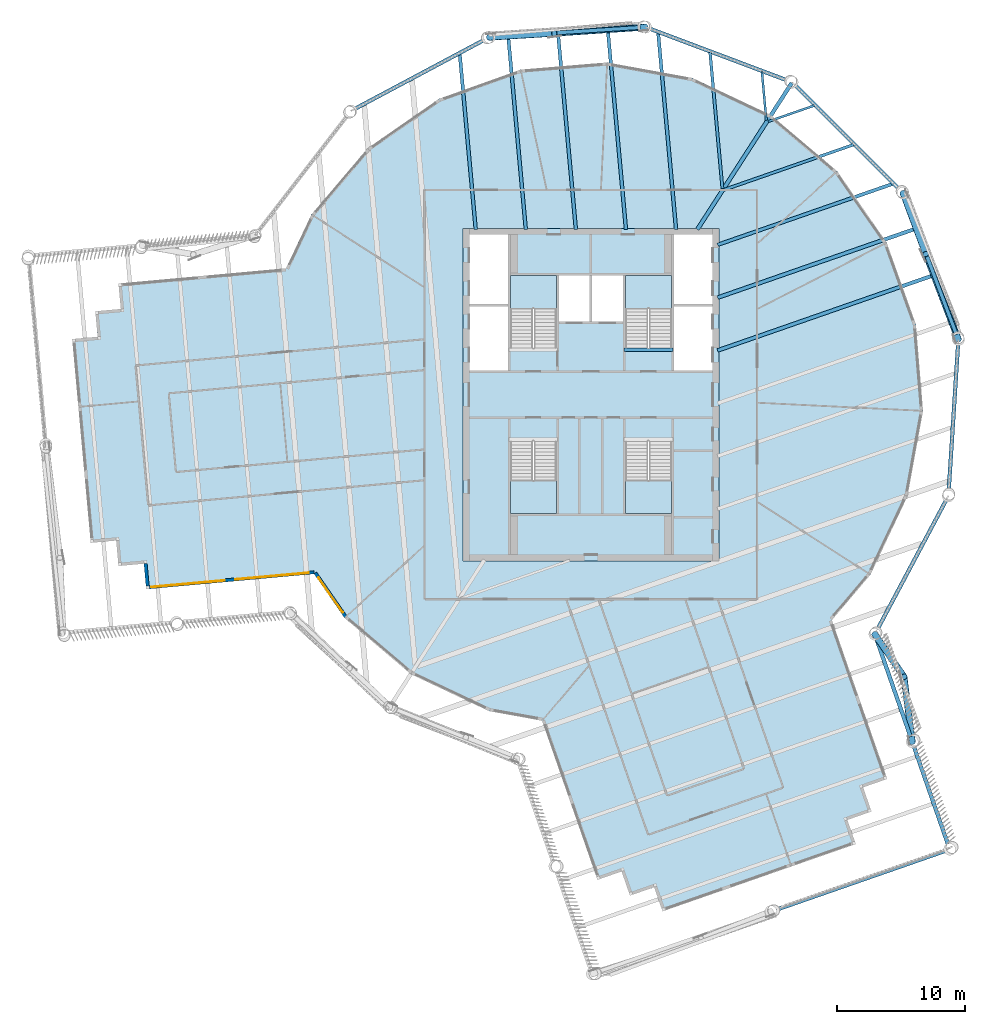
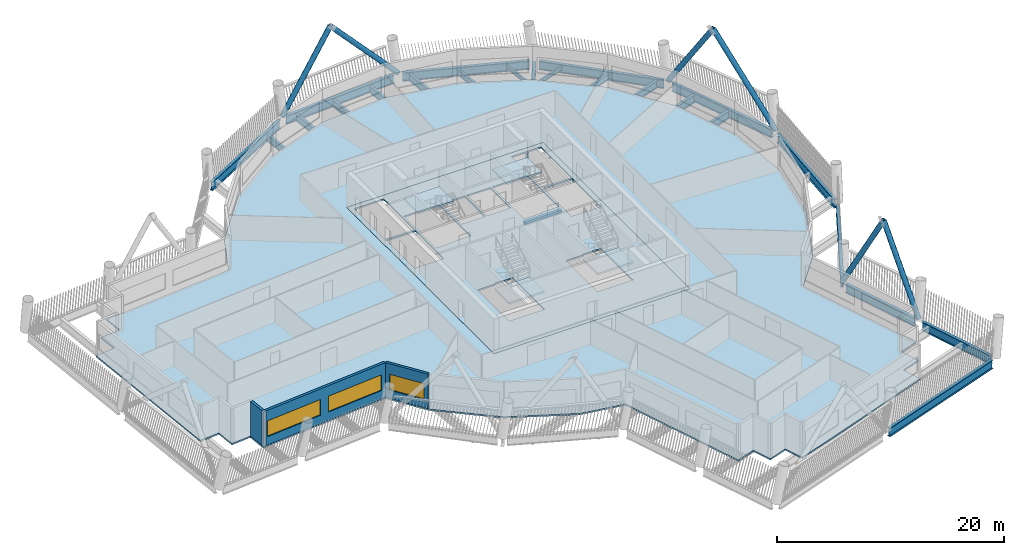
# One storey, part 2 of 23: 24 beams, 6 members, 6 slabs, 3 walls, 3 windows, 3 openings, 4 elements without a shape of their own.
"""IFC4 building model written with IfcOpenShell, lengths in metres."""

from ifc_helpers import new_model, si_unit, direction, frame, frame_2d, origin, origin_2d, place, context, subcontext, project, spatial, polyline, rectangle, hollow_circle, i_section, outline, extrude, material, layer, layer_set, material_profile, profile_set, type_object, element, fill, aggregate, save


model = new_model("IFC4")

# Units and contexts
model_context = context("Model", 3, precision=1e-05, world=origin(), true_north=direction((0.0, 1.0)))
body_context = subcontext(model_context, "Body", "Model", "MODEL_VIEW")
ifc_project = project(units=[si_unit("LENGTHUNIT", "METRE"), si_unit("AREAUNIT", "SQUARE_METRE"), si_unit("VOLUMEUNIT", "CUBIC_METRE"), si_unit("PLANEANGLEUNIT", "RADIAN"), si_unit("MASSUNIT", "GRAM", prefix="KILO")], contexts=[model_context])

# Site, building, storey
site_placement = place(None, origin())
site = spatial("IfcSite", under=ifc_project, at=site_placement, CompositionType="ELEMENT")
building_placement = place(site_placement, origin())
building = spatial("IfcBuilding", under=site, at=building_placement, Name="Tarsis Ring Headquarters", CompositionType="ELEMENT")
storey_placement = place(building_placement, frame((0.0, 0.0, 308.0)))
storey = spatial("IfcBuildingStorey", under=building, at=storey_placement, Name="L72", CompositionType="ELEMENT", Elevation=308.0)

# Beams
ifc_material_1 = material(Name="Structural steel S355", Category="steel")
ifc_material_profile_1 = material_profile(ifc_material_1, i_section(OverallWidth=0.177734375, OverallDepth=0.406494140625, WebThickness=0.0078125, FlangeThickness=0.0126953125, at=origin_2d()), Name="W16x40")
ifc_profile_set_1 = profile_set([ifc_material_profile_1], Name="Structural steel S355")
beam_type_1 = type_object("IfcBeamType", Name="FB Floor beam W16x40", PredefinedType="JOIST", material=ifc_profile_set_1)
beam_1_placement = place(storey_placement, frame((13.869384765625, 21.3486328125, -0.36328125), z_axis=(0.94437035444, 0.328883921249, 0.0), x_axis=(-0.328883921249, 0.94437035444, 0.0)))
element("IfcBeam", 1, at=beam_1_placement, inside=storey, type_object=beam_type_1, Name="Floor beam FB1", PredefinedType="JOIST", context=body_context, shape_type="SweptSolid", body=[
    extrude(i_section(OverallWidth=0.177734375, OverallDepth=0.406494140625, WebThickness=0.0078125, FlangeThickness=0.0126953125, at=origin_2d()), origin(), (0.0, 0.0, 1.0), 3.80517578125),
])
beam_2_placement = place(storey_placement, frame((13.367431640625, 25.2392578125, -0.36328125), z_axis=(0.090663020435, -0.995881627868, 0.0), x_axis=(0.995881627868, 0.090663020435, 0.0)))
element("IfcBeam", 2, at=beam_2_placement, inside=storey, type_object=beam_type_1, Name="Floor beam FB1", PredefinedType="JOIST", context=body_context, shape_type="SweptSolid", body=[
    extrude(i_section(OverallWidth=0.177734375, OverallDepth=0.406494140625, WebThickness=0.0078125, FlangeThickness=0.0126953125, at=origin_2d()), origin(), (0.0, 0.0, 1.0), 3.804931640625),
])
ifc_material_profile_2 = material_profile(ifc_material_1, i_section(OverallWidth=0.228271484375, OverallDepth=0.607177734375, WebThickness=0.01123046875, FlangeThickness=0.017333984375, at=origin_2d()), Name="W24x76")
ifc_profile_set_2 = profile_set([ifc_material_profile_2], Name="Structural steel S355")
beam_type_2 = type_object("IfcBeamType", Name="FB Floor beam W24x76", PredefinedType="JOIST", material=ifc_profile_set_2)
beam_3_placement = place(storey_placement, frame((10.437744140625, 16.02392578125, -0.463623046875), z_axis=(0.944376207023, 0.328867115426, 0.0), x_axis=(-0.328867115426, 0.944376207023, 0.0)))
element("IfcBeam", 3, at=beam_3_placement, inside=storey, type_object=beam_type_2, Name="Floor beam FB4", PredefinedType="JOIST", context=body_context, shape_type="SweptSolid", body=[
    extrude(i_section(OverallWidth=0.228271484375, OverallDepth=0.607177734375, WebThickness=0.01123046875, FlangeThickness=0.017333984375, at=origin_2d()), origin(), (0.0, 0.0, 1.0), 10.684814453125),
])
beam_4_placement = place(storey_placement, frame((9.3125, 26.765869140625, -0.463623046875), z_axis=(0.090622275241, -0.995885336387, 0.0), x_axis=(0.995885336387, 0.090622275241, 0.0)))
element("IfcBeam", 4, at=beam_4_placement, inside=storey, type_object=beam_type_2, Name="Floor beam FB4", PredefinedType="JOIST", context=body_context, shape_type="SweptSolid", body=[
    extrude(i_section(OverallWidth=0.228271484375, OverallDepth=0.607177734375, WebThickness=0.01123046875, FlangeThickness=0.017333984375, at=origin_2d()), origin(), (0.0, 0.0, 1.0), 10.6845703125),
])
ifc_material_profile_3 = material_profile(ifc_material_1, i_section(OverallWidth=0.2666015625, OverallDepth=0.7568359375, WebThickness=0.013916015625, FlangeThickness=0.019287109375, at=origin_2d()), Name="W30x108")
ifc_profile_set_3 = profile_set([ifc_material_profile_3], Name="Structural steel S355")
beam_type_3 = type_object("IfcBeamType", Name="FB Floor beam W30x108", PredefinedType="JOIST", material=ifc_profile_set_3)
beam_5_placement = place(storey_placement, frame((9.905517578125, 11.708984375, -0.538330078125), z_axis=(0.944377661826, 0.328862937778, 0.0), x_axis=(-0.328862937778, 0.944377661826, 0.0)))
element("IfcBeam", 5, at=beam_5_placement, inside=storey, type_object=beam_type_3, Name="Floor beam FB6", PredefinedType="JOIST", context=body_context, shape_type="SweptSolid", body=[
    extrude(i_section(OverallWidth=0.2666015625, OverallDepth=0.7568359375, WebThickness=0.013916015625, FlangeThickness=0.019287109375, at=origin_2d()), origin(), (0.0, 0.0, 1.0), 14.494140625),
])
beam_6_placement = place(storey_placement, frame((5.25732421875, 28.29248046875, -0.538330078125), z_axis=(0.090638291041, -0.995883878872, 0.0), x_axis=(0.995883878872, 0.090638291041, 0.0)))
element("IfcBeam", 6, at=beam_6_placement, inside=storey, type_object=beam_type_3, Name="Floor beam FB6", PredefinedType="JOIST", context=body_context, shape_type="SweptSolid", body=[
    extrude(i_section(OverallWidth=0.2666015625, OverallDepth=0.7568359375, WebThickness=0.013916015625, FlangeThickness=0.019287109375, at=origin_2d()), origin(), (0.0, 0.0, 1.0), 15.455810546875),
])
beam_7_placement = place(storey_placement, frame((1.32373046875, 28.486083984375, -0.538330078125), z_axis=(0.090635610732, -0.995884122811, 0.0), x_axis=(0.995884122811, 0.090635610732, 0.0)))
element("IfcBeam", 7, at=beam_7_placement, inside=storey, type_object=beam_type_3, Name="Floor beam FB6", PredefinedType="JOIST", context=body_context, shape_type="SweptSolid", body=[
    extrude(i_section(OverallWidth=0.2666015625, OverallDepth=0.7568359375, WebThickness=0.013916015625, FlangeThickness=0.019287109375, at=origin_2d()), origin(), (0.0, 0.0, 1.0), 15.650146484375),
])
beam_8_placement = place(storey_placement, frame((-2.5693359375, 28.2333984375, -0.538330078125), z_axis=(0.090622959392, -0.995885274131, 0.0), x_axis=(0.995885274131, 0.090622959392, 0.0)))
element("IfcBeam", 8, at=beam_8_placement, inside=storey, type_object=beam_type_3, Name="Floor beam FB6", PredefinedType="JOIST", context=body_context, shape_type="SweptSolid", body=[
    extrude(i_section(OverallWidth=0.2666015625, OverallDepth=0.7568359375, WebThickness=0.013916015625, FlangeThickness=0.019287109375, at=origin_2d()), origin(), (0.0, 0.0, 1.0), 15.396240234375),
])
beam_9_placement = place(storey_placement, frame((-6.462646484375, 27.980712890625, -0.538330078125), z_axis=(0.090641864664, -0.99588355362, 0.0), x_axis=(0.99588355362, 0.090641864664, 0.0)))
element("IfcBeam", 9, at=beam_9_placement, inside=storey, type_object=beam_type_3, Name="Floor beam FB6", PredefinedType="JOIST", context=body_context, shape_type="SweptSolid", body=[
    extrude(i_section(OverallWidth=0.2666015625, OverallDepth=0.7568359375, WebThickness=0.013916015625, FlangeThickness=0.019287109375, at=origin_2d()), origin(), (0.0, 0.0, 1.0), 15.142578125),
])
beam_10_placement = place(storey_placement, frame((-10.256591796875, 26.63916015625, -0.538330078125), z_axis=(0.090626697002, -0.995884934011, 0.0), x_axis=(0.995884934011, 0.090626697002, 0.0)))
element("IfcBeam", 10, at=beam_10_placement, inside=storey, type_object=beam_type_3, Name="Floor beam FB6", PredefinedType="JOIST", context=body_context, shape_type="SweptSolid", body=[
    extrude(i_section(OverallWidth=0.2666015625, OverallDepth=0.7568359375, WebThickness=0.013916015625, FlangeThickness=0.019287109375, at=origin_2d()), origin(), (0.0, 0.0, 1.0), 13.795654296875),
])
ifc_material_profile_4 = material_profile(ifc_material_1, i_section(OverallWidth=0.2919921875, OverallDepth=0.835693359375, WebThickness=0.013916015625, FlangeThickness=0.018798828125, at=origin_2d()), Name="W33x118")
ifc_profile_set_4 = profile_set([ifc_material_profile_4], Name="Structural steel S355")
beam_type_4 = type_object("IfcBeamType", Name="FB Floor beam W33x118", PredefinedType="JOIST", material=ifc_profile_set_4)
beam_11_placement = place(storey_placement, frame((9.905517578125, 7.5791015625, -0.577880859375), z_axis=(0.944375845858, 0.328868152548, 0.0), x_axis=(-0.328868152548, 0.944375845858, 0.0)))
element("IfcBeam", 11, at=beam_11_placement, inside=storey, type_object=beam_type_4, Name="Floor beam FB7", PredefinedType="JOIST", context=body_context, shape_type="SweptSolid", body=[
    extrude(i_section(OverallWidth=0.2919921875, OverallDepth=0.835693359375, WebThickness=0.013916015625, FlangeThickness=0.018798828125, at=origin_2d()), origin(), (0.0, 0.0, 1.0), 16.40185546875),
])
beam_12_placement = place(storey_placement, frame((9.905517578125, 3.449462890625, -0.577880859375), z_axis=(0.944375026862, 0.328870504361, 0.0), x_axis=(-0.328870504361, 0.944375026862, 0.0)))
element("IfcBeam", 12, at=beam_12_placement, inside=storey, type_object=beam_type_4, Name="Floor beam FB7", PredefinedType="JOIST", context=body_context, shape_type="SweptSolid", body=[
    extrude(i_section(OverallWidth=0.2919921875, OverallDepth=0.835693359375, WebThickness=0.013916015625, FlangeThickness=0.018798828125, at=origin_2d()), origin(), (0.0, 0.0, 1.0), 17.861083984375),
])
ifc_material_profile_5 = material_profile(ifc_material_1, i_section(OverallWidth=0.309814453125, OverallDepth=0.949951171875, WebThickness=0.0244140625, FlangeThickness=0.0439453125, at=origin_2d()), Name="W36x256")
ifc_profile_set_5 = profile_set([ifc_material_profile_5], Name="Structural steel S355")
beam_type_5 = type_object("IfcBeamType", Name="FB Floor beam W36x256 spine", PredefinedType="BEAM", material=ifc_profile_set_5)
beam_13_placement = place(storey_placement, frame((15.7041015625, 24.367919921875, -0.635009765625), z_axis=(-0.541714557773, -0.840562512784, 0.0), x_axis=(0.840562512784, -0.541714557773, 0.0)))
element("IfcBeam", 13, at=beam_13_placement, inside=storey, type_object=beam_type_5, Name="Floor beam SB11", PredefinedType="BEAM", context=body_context, shape_type="SweptSolid", body=[
    extrude(i_section(OverallWidth=0.309814453125, OverallDepth=0.949951171875, WebThickness=0.0244140625, FlangeThickness=0.0439453125, at=origin_2d()), origin(), (0.0, 0.0, 1.0), 13.6240234375),
])
ifc_material_2 = material(Name="Concrete C40/50", Category="concrete")
ifc_material_profile_6 = material_profile(ifc_material_2, rectangle(XDim=0.300048828125, YDim=0.300048828125, at=origin_2d()), Name="Stair head beam 300x300 C40/50")
ifc_profile_set_6 = profile_set([ifc_material_profile_6], Name="Concrete C40/50")
beam_type_6 = type_object("IfcBeamType", Name="Stair head beam 300x300 C40/50", PredefinedType="BEAM", material=ifc_profile_set_6)
beam_14_placement = place(storey_placement, frame((2.60009765625, 3.510009765625, -0.31005859375), z_axis=(1.0, 0.0, 0.0), x_axis=(0.0, 1.0, 0.0)))
element("IfcBeam", 14, at=beam_14_placement, inside=storey, type_object=beam_type_6, Name="Stair head beam L72 Exit stair B", PredefinedType="BEAM", context=body_context, shape_type="SweptSolid", body=[
    extrude(rectangle(XDim=0.300048828125, YDim=0.300048828125, at=origin_2d()), origin(), (0.0, 0.0, 1.0), 3.7998046875),
])

# Members
ifc_material_profile_7 = material_profile(ifc_material_1, hollow_circle(Radius=0.25390625, WallThickness=0.02001953125, at=origin_2d()), Name="CHS 508x20")
ifc_profile_set_7 = profile_set([ifc_material_profile_7], Name="Structural steel S355")
member_type = type_object("IfcMemberType", Name="XD X brace CHS 508x20", PredefinedType="BRACE", material=ifc_profile_set_7)
member_1_placement = place(storey_placement, frame((25.12451171875, -27.14501953125, 0.0), z_axis=(-0.06932106502, 0.54423185701, 0.836065951801), x_axis=(-0.991985307185, -0.126353275892, 0.0)))
element("IfcMember", 15, at=member_1_placement, inside=storey, type_object=member_type, Name="X brace XD2", PredefinedType="BRACE", context=body_context, shape_type="SweptSolid", body=[
    extrude(hollow_circle(Radius=0.25390625, WallThickness=0.02001953125, at=origin_2d()), origin(), (0.0, 0.0, 1.0), 9.329345703125),
])
member_2_placement = place(storey_placement, frame((22.197021484375, -18.738037109375, 0.0), z_axis=(0.259699800332, -0.379125013587, 0.888155525671), x_axis=(0.825004449067, 0.565126232819, 0.0)))
element("IfcMember", 16, at=member_2_placement, inside=storey, type_object=member_type, Name="X brace XD2", PredefinedType="BRACE", context=body_context, shape_type="SweptSolid", body=[
    extrude(hollow_circle(Radius=0.25390625, WallThickness=0.02001953125, at=origin_2d()), origin(), (0.0, 0.0, 1.0), 8.7822265625),
])
member_3_placement = place(storey_placement, frame((28.728271484375, 4.30126953125, 0.0), z_axis=(-0.240436542497, 0.631768697141, 0.736925085979), x_axis=(-0.934604443077, -0.355688817621, 0.0)))
element("IfcMember", 17, at=member_3_placement, inside=storey, type_object=member_type, Name="X brace XD2", PredefinedType="BRACE", context=body_context, shape_type="SweptSolid", body=[
    extrude(hollow_circle(Radius=0.25390625, WallThickness=0.02001953125, at=origin_2d()), origin(), (0.0, 0.0, 1.0), 10.58447265625),
])
member_4_placement = place(storey_placement, frame((24.4013671875, 15.76025390625, 0.0), z_axis=(0.191281826624, -0.512233810549, 0.837274020936), x_axis=(0.9368128247, 0.349831004169, 0.0)))
element("IfcMember", 18, at=member_4_placement, inside=storey, type_object=member_type, Name="X brace XD2", PredefinedType="BRACE", context=body_context, shape_type="SweptSolid", body=[
    extrude(hollow_circle(Radius=0.25390625, WallThickness=0.02001953125, at=origin_2d()), origin(), (0.0, 0.0, 1.0), 9.31591796875),
])
member_5_placement = place(storey_placement, frame((4.272216796875, 28.732666015625, 0.0), z_axis=(-0.674439047292, -0.045554621012, 0.736923841379), x_axis=(0.067390907362, -0.997726648739, 0.0)))
element("IfcMember", 19, at=member_5_placement, inside=storey, type_object=member_type, Name="X brace XD2", PredefinedType="BRACE", context=body_context, shape_type="SweptSolid", body=[
    extrude(hollow_circle(Radius=0.25390625, WallThickness=0.02001953125, at=origin_2d()), origin(), (0.0, 0.0, 1.0), 10.584716796875),
])
member_6_placement = place(storey_placement, frame((-7.95068359375, 27.939208984375, 0.0), z_axis=(0.545754887396, 0.033413564534, 0.83727841044), x_axis=(-0.06111006328, 0.998131033565, 0.0)))
element("IfcMember", 20, at=member_6_placement, inside=storey, type_object=member_type, Name="X brace XD2", PredefinedType="BRACE", context=body_context, shape_type="SweptSolid", body=[
    extrude(hollow_circle(Radius=0.25390625, WallThickness=0.02001953125, at=origin_2d()), origin(), (0.0, 0.0, 1.0), 9.31591796875),
])

# Beams
ifc_material_profile_8 = material_profile(ifc_material_1, i_section(OverallWidth=0.309814453125, OverallDepth=0.93212890625, WebThickness=0.02099609375, FlangeThickness=0.034423828125, at=origin_2d()), Name="W36x210")
ifc_profile_set_8 = profile_set([ifc_material_profile_8], Name="Structural steel S355")
beam_type_7 = type_object("IfcBeamType", Name="XG Ring girder W36x210", PredefinedType="BEAM", material=ifc_profile_set_8)
beam_15_placement = place(storey_placement, frame((14.485595703125, -40.2763671875, -0.466064453125), z_axis=(0.944377106557, 0.32886453231, 0.0), x_axis=(-0.32886453231, 0.944377106557, 0.0)))
element("IfcBeam", 21, at=beam_15_placement, inside=storey, type_object=beam_type_7, Name="Ring girder XG3", PredefinedType="BEAM", context=body_context, shape_type="SweptSolid", body=[
    extrude(i_section(OverallWidth=0.309814453125, OverallDepth=0.93212890625, WebThickness=0.02099609375, FlangeThickness=0.034423828125, at=origin_2d()), origin(), (0.0, 0.0, 1.0), 13.931396484375),
])
for number, where, z_axis, x_axis, name in (
    (22, (27.909423828125, -35.141845703125, -0.466064453125), (-0.328881284424, 0.944371272729, 0.0), (-0.944371272729, -0.328881284424, 0.0), "Ring girder XG3"),
    (23, (24.981689453125, -26.73486328125, -0.466064453125), (-0.32885418103, 0.944380711164, 0.0), (-0.944380711164, -0.32885418103, 0.0), "Ring girder XG3"),
):
    element("IfcBeam", number, at=place(storey_placement, frame(where, z_axis=z_axis, x_axis=x_axis)), inside=storey, type_object=beam_type_7, Name=name, PredefinedType="BEAM", context=body_context, shape_type="SweptSolid", body=[
        extrude(i_section(OverallWidth=0.309814453125, OverallDepth=0.93212890625, WebThickness=0.02099609375, FlangeThickness=0.034423828125, at=origin_2d()), origin(), (0.0, 0.0, 1.0), 8.033447265625),
    ])
beam_16_placement = place(storey_placement, frame((22.40087890625, -18.3544921875, -0.466064453125), z_axis=(0.469453219357, 0.882957345989, 0.0), x_axis=(-0.882957345989, 0.469453219357, 0.0)))
element("IfcBeam", 24, at=beam_16_placement, inside=storey, type_object=beam_type_7, Name="Ring girder XG3", PredefinedType="BEAM", context=body_context, shape_type="SweptSolid", body=[
    extrude(i_section(OverallWidth=0.309814453125, OverallDepth=0.93212890625, WebThickness=0.02099609375, FlangeThickness=0.034423828125, at=origin_2d()), origin(), (0.0, 0.0, 1.0), 11.38037109375),
])
for number, where, z_axis, x_axis, name in (
    (25, (27.974853515625, -7.4892578125, -0.466064453125), (0.063780618348, 0.997963943599, 0.0), (-0.997963943599, 0.063780618348, 0.0), "Ring girder XG3"),
    (26, (28.574951171875, 4.70751953125, -0.466064453125), (-0.353247870112, 0.935529765567, 0.0), (-0.935529765567, -0.353247870112, 0.0), "Ring girder XG3"),
    (27, (24.09423828125, 16.0673828125, -0.466064453125), (-0.707460669632, 0.70675271554, 0.0), (-0.70675271554, -0.707460669632, 0.0), "Ring girder XG3"),
):
    element("IfcBeam", number, at=place(storey_placement, frame(where, z_axis=z_axis, x_axis=x_axis)), inside=storey, type_object=beam_type_7, Name=name, PredefinedType="BEAM", context=body_context, shape_type="SweptSolid", body=[
        extrude(i_section(OverallWidth=0.309814453125, OverallDepth=0.93212890625, WebThickness=0.02099609375, FlangeThickness=0.034423828125, at=origin_2d()), origin(), (0.0, 0.0, 1.0), 11.380126953125),
    ])
beam_17_placement = place(storey_placement, frame((15.329345703125, 24.5703125, -0.466064453125), z_axis=(-0.935886740208, 0.35230102115, 0.0), x_axis=(-0.35230102115, -0.935886740208, 0.0)))
element("IfcBeam", 28, at=beam_17_placement, inside=storey, type_object=beam_type_7, Name="Ring girder XG3", PredefinedType="BEAM", context=body_context, shape_type="SweptSolid", body=[
    extrude(i_section(OverallWidth=0.309814453125, OverallDepth=0.93212890625, WebThickness=0.02099609375, FlangeThickness=0.034423828125, at=origin_2d()), origin(), (0.0, 0.0, 1.0), 11.38037109375),
])
beam_18_placement = place(storey_placement, frame((3.8388671875, 28.70458984375, -0.466064453125), z_axis=(-0.997898993112, -0.064788884429, 0.0), x_axis=(0.064788884429, -0.997898993112, 0.0)))
element("IfcBeam", 29, at=beam_18_placement, inside=storey, type_object=beam_type_7, Name="Ring girder XG3", PredefinedType="BEAM", context=body_context, shape_type="SweptSolid", body=[
    extrude(i_section(OverallWidth=0.309814453125, OverallDepth=0.93212890625, WebThickness=0.02099609375, FlangeThickness=0.034423828125, at=origin_2d()), origin(), (0.0, 0.0, 1.0), 11.380126953125),
])
beam_19_placement = place(storey_placement, frame((-8.333984375, 27.73486328125, -0.466064453125), z_axis=(-0.882488303166, -0.470334343607, 0.0), x_axis=(0.470334343607, -0.882488303166, 0.0)))
element("IfcBeam", 30, at=beam_19_placement, inside=storey, type_object=beam_type_7, Name="Ring girder XG3", PredefinedType="BEAM", context=body_context, shape_type="SweptSolid", body=[
    extrude(i_section(OverallWidth=0.309814453125, OverallDepth=0.93212890625, WebThickness=0.02099609375, FlangeThickness=0.034423828125, at=origin_2d()), origin(), (0.0, 0.0, 1.0), 11.38037109375),
])

# Slab
ifc_layer_1 = layer(ifc_material_2, 0.159912109375)
ifc_layer_set_1 = layer_set([ifc_layer_1], Name="Core floor slab 160 C40/50")
slab_type_1 = type_object("IfcSlabType", Name="Core floor slab 160 C40/50", PredefinedType="FLOOR", material=ifc_layer_set_1)
slab_1_placement = place(storey_placement, frame((0.0, 0.0, -0.159912109375)))
element("IfcSlab", 31, at=slab_1_placement, inside=storey, type_object=slab_type_1, Name="L72 core floor slab", PredefinedType="FLOOR", context=body_context, shape_type="SweptSolid", body=[
    extrude(outline(polyline([(-10.0, -13.0), (10.0, -13.0), (10.0, 13.0), (-10.0, 13.0), (-10.0, -13.0)]), holes=[polyline([(-2.5, 5.699951171875), (-0.10009765625, 5.699951171875), (-0.10009765625, 9.300048828125), (-2.5, 9.300048828125), (-2.5, 5.699951171875)]), polyline([(0.10009765625, 5.699951171875), (2.5, 5.699951171875), (2.5, 9.300048828125), (0.10009765625, 9.300048828125), (0.10009765625, 5.699951171875)]), polyline([(-9.5, 1.89990234375), (-6.5, 1.89990234375), (-6.5, 6.89990234375), (-9.5, 6.89990234375), (-9.5, 1.89990234375)]), polyline([(-9.5, 7.10009765625), (-6.5, 7.10009765625), (-6.5, 12.5), (-9.5, 12.5), (-9.5, 7.10009765625)]), polyline([(6.5, 1.89990234375), (9.5, 1.89990234375), (9.5, 6.89990234375), (6.5, 6.89990234375), (6.5, 1.89990234375)]), polyline([(6.5, 7.10009765625), (9.5, 7.10009765625), (9.5, 12.5), (6.5, 12.5), (6.5, 7.10009765625)]), polyline([(-2.699951171875, 3.760009765625), (-2.699951171875, 9.300048828125), (-6.300048828125, 9.300048828125), (-6.300048828125, 3.659912109375), (-4.4599609375, 3.659912109375), (-4.4599609375, 3.760009765625), (-2.699951171875, 3.760009765625)]), polyline([(6.300048828125, 3.760009765625), (6.300048828125, 9.300048828125), (2.699951171875, 9.300048828125), (2.699951171875, 3.659912109375), (4.5400390625, 3.659912109375), (4.5400390625, 3.760009765625), (6.300048828125, 3.760009765625)]), polyline([(-6.300048828125, -3.760009765625), (-6.300048828125, -9.300048828125), (-2.699951171875, -9.300048828125), (-2.699951171875, -3.659912109375), (-4.5400390625, -3.659912109375), (-4.5400390625, -3.760009765625), (-6.300048828125, -3.760009765625)]), polyline([(2.699951171875, -3.760009765625), (2.699951171875, -9.300048828125), (6.300048828125, -9.300048828125), (6.300048828125, -3.659912109375), (4.4599609375, -3.659912109375), (4.4599609375, -3.760009765625), (2.699951171875, -3.760009765625)])]), origin(), (0.0, 0.0, 1.0), 0.159912109375),
])

# Stair, slab
ifc_material_3 = material(Name="Core stair 1760")
stair_type = type_object("IfcStairType", Name="Core stair 1760", PredefinedType="HALF_TURN_STAIR", material=ifc_material_3)
stair_1_placement = place(storey_placement, origin())
stair_1 = element("IfcStair", 32, at=stair_1_placement, inside=storey, type_object=stair_type, Name="L72 Firefighting stair", PredefinedType="HALF_TURN_STAIR")
ifc_layer_2 = layer(ifc_material_2, 0.199951171875)
ifc_layer_set_2 = layer_set([ifc_layer_2], Name="Core stair landing 200")
slab_type_2 = type_object("IfcSlabType", Name="Core stair landing 200", PredefinedType="LANDING", material=ifc_layer_set_2)
slab_2_placement = place(storey_placement, frame((0.0, 0.0, 1.75)))
slab_2 = element("IfcSlab", 33, at=slab_2_placement, type_object=slab_type_2, Name="Stair ST1 landing 1", PredefinedType="LANDING", context=body_context, shape_type="SweptSolid", body=[
    extrude(outline(polyline([(-2.699951171875, 6.739990234375), (-2.699951171875, 9.300048828125), (-6.300048828125, 9.300048828125), (-6.300048828125, 6.739990234375), (-2.699951171875, 6.739990234375)])), origin(), (0.0, 0.0, 1.0), 0.199951171875),
])
aggregate(stair_1, [slab_2])

stair_2_placement = place(storey_placement, origin())
stair_2 = element("IfcStair", 34, at=stair_2_placement, inside=storey, type_object=stair_type, Name="L72 Exit stair B", PredefinedType="HALF_TURN_STAIR")
slab_3_placement = place(storey_placement, frame((0.0, 0.0, 1.75)))
slab_3 = element("IfcSlab", 35, at=slab_3_placement, type_object=slab_type_2, Name="Stair ST2 landing 1", PredefinedType="LANDING", context=body_context, shape_type="SweptSolid", body=[
    extrude(outline(polyline([(6.300048828125, 6.739990234375), (6.300048828125, 9.300048828125), (2.699951171875, 9.300048828125), (2.699951171875, 6.739990234375), (6.300048828125, 6.739990234375)])), origin(), (0.0, 0.0, 1.0), 0.199951171875),
])
aggregate(stair_2, [slab_3])

stair_3_placement = place(storey_placement, origin())
stair_3 = element("IfcStair", 36, at=stair_3_placement, inside=storey, type_object=stair_type, Name="L72 Exit stair C", PredefinedType="HALF_TURN_STAIR")
slab_4_placement = place(storey_placement, frame((0.0, 0.0, 1.75)))
slab_4 = element("IfcSlab", 37, at=slab_4_placement, type_object=slab_type_2, Name="Stair ST3 landing 1", PredefinedType="LANDING", context=body_context, shape_type="SweptSolid", body=[
    extrude(outline(polyline([(-6.300048828125, -6.739990234375), (-6.300048828125, -9.300048828125), (-2.699951171875, -9.300048828125), (-2.699951171875, -6.739990234375), (-6.300048828125, -6.739990234375)])), origin(), (0.0, 0.0, 1.0), 0.199951171875),
])
aggregate(stair_3, [slab_4])

stair_4_placement = place(storey_placement, origin())
stair_4 = element("IfcStair", 38, at=stair_4_placement, inside=storey, type_object=stair_type, Name="L72 Exit stair D", PredefinedType="HALF_TURN_STAIR")
slab_5_placement = place(storey_placement, frame((0.0, 0.0, 1.75)))
slab_5 = element("IfcSlab", 39, at=slab_5_placement, type_object=slab_type_2, Name="Stair ST4 landing 1", PredefinedType="LANDING", context=body_context, shape_type="SweptSolid", body=[
    extrude(outline(polyline([(2.699951171875, -6.739990234375), (2.699951171875, -9.300048828125), (6.300048828125, -9.300048828125), (6.300048828125, -6.739990234375), (2.699951171875, -6.739990234375)])), origin(), (0.0, 0.0, 1.0), 0.199951171875),
])
aggregate(stair_4, [slab_5])

# Slab
ifc_material_4 = material(Name="Concrete C35/45", Category="concrete")
ifc_layer_3 = layer(ifc_material_4, 0.159912109375)
ifc_layer_set_3 = layer_set([ifc_layer_3], Name="FS Composite floor slab 160")
slab_type_3 = type_object("IfcSlabType", Name="FS Composite floor slab 160", PredefinedType="FLOOR", material=ifc_layer_set_3)
slab_6_placement = place(storey_placement, frame((0.0, 0.0, -0.159912109375)))
element("IfcSlab", 40, at=slab_6_placement, inside=storey, type_object=slab_type_3, Name="Floor slab L72", PredefinedType="FLOOR", context=body_context, shape_type="SweptSolid", body=[
    extrude(outline(polyline([(-21.646484375, -14.01953125), (-19.260986328125, -17.46484375), (-14.08447265625, -21.854736328125), (-7.947998046875, -24.75537109375), (-3.8251953125, -25.504638671875), (0.506591796875, -37.94384765625), (2.3955078125, -37.2861328125), (3.05322265625, -39.175048828125), (4.94189453125, -38.517333984375), (5.599609375, -40.406005859375), (20.709716796875, -35.14404296875), (20.052001953125, -33.25537109375), (21.940673828125, -32.59765625), (21.282958984375, -30.708984375), (23.171630859375, -30.05126953125), (18.8466796875, -17.63134765625), (21.854736328125, -14.08447265625), (24.75537109375, -7.947998046875), (25.968994140625, -1.27001953125), (25.412841796875, 5.494384765625), (23.124755859375, 11.884521484375), (19.260986328125, 17.46484375), (14.08447265625, 21.854736328125), (7.947998046875, 24.75537109375), (1.27001953125, 25.968994140625), (-5.494384765625, 25.412841796875), (-11.884521484375, 23.124755859375), (-17.46484375, 19.260986328125), (-21.854736328125, 14.08447265625), (-23.84228515625, 9.8798828125), (-36.939453125, 8.687744140625), (-36.758056640625, 6.696044921875), (-38.75, 6.514892578125), (-38.568603515625, 4.52294921875), (-40.560546875, 4.341796875), (-39.1103515625, -11.59228515625), (-37.11865234375, -11.4111328125), (-36.937255859375, -13.40283203125), (-34.945556640625, -13.2216796875), (-34.76416015625, -15.21337890625), (-21.646484375, -14.01953125)]), holes=[polyline([(-10.0, -13.0), (-10.0, 13.0), (10.0, 13.0), (10.0, -13.0), (-10.0, -13.0)])]), origin(), (0.0, 0.0, 1.0), 0.159912109375),
])

# Wall, openings, windows
ifc_material_5 = material(Name="Terracotta clad insulated panel wall", Category="masonry")
ifc_layer_4 = layer(ifc_material_5, 0.25)
ifc_layer_set_4 = layer_set([ifc_layer_4], Name="Facade wall terracotta panel 250")
wall_type = type_object("IfcWallType", Name="Facade wall terracotta panel 250", PredefinedType="STANDARD", material=ifc_layer_set_4)
wall_1_placement = place(storey_placement, frame((-34.526611328125, -15.066162109375, 0.0), z_axis=(0.0, 0.0, 1.0), x_axis=(0.995884529566, 0.090631141286, 0.0)))
wall_1 = element("IfcWall", 41, at=wall_1_placement, inside=storey, type_object=wall_type, Name="External wall L72-01", PredefinedType="STANDARD", context=body_context, shape_type="SweptSolid", body=[
    extrude(rectangle(XDim=12.922119140625, YDim=0.25, at=frame_2d((6.4609375, 0.0))), origin(), (0.0, 0.0, 1.0), 3.739990234375),
])
opening_1_placement = place(wall_1_placement, frame((0.16796875, 0.0, 0.89990234375)))
opening_1 = element("IfcOpeningElement", 42, at=opening_1_placement, cuts=wall_1, Name="Opening WN06", PredefinedType="OPENING", context=body_context, shape_type="SweptSolid", body=[
    extrude(rectangle(XDim=5.75, YDim=1.699951171875, at=frame_2d((2.875, 0.85009765625))), frame((0.0, 0.135009765625, 0.0), z_axis=(0.0, -1.0, 0.0), x_axis=(1.0, 0.0, 0.0)), (0.0, 0.0, 1.0), 0.27001953125),
])
opening_2_placement = place(wall_1_placement, frame((6.75390625, 0.0, 0.89990234375)))
opening_2 = element("IfcOpeningElement", 43, at=opening_2_placement, cuts=wall_1, Name="Opening WN06", PredefinedType="OPENING", context=body_context, shape_type="SweptSolid", body=[
    extrude(rectangle(XDim=5.75, YDim=1.699951171875, at=frame_2d((2.875, 0.85009765625))), frame((0.0, 0.135009765625, 0.0), z_axis=(0.0, -1.0, 0.0), x_axis=(1.0, 0.0, 0.0)), (0.0, 0.0, 1.0), 0.27001953125),
])
ifc_material_6 = material(Name="Aluminium framed double glazing", Category="aluminium")
window_type_1 = type_object("IfcWindowType", Name="Facade window 5750 x 1700", PartitioningType="SINGLE_PANEL", PredefinedType="WINDOW", material=ifc_material_6)
window_1_placement = place(opening_1_placement, origin())
window_1 = element("IfcWindow", 44, at=window_1_placement, inside=storey, type_object=window_type_1, Name="Window L72-01.1", OverallHeight=1.699951171875, OverallWidth=5.75, PartitioningType="SINGLE_PANEL", PredefinedType="WINDOW", context=body_context, shape_type="SweptSolid", body=[
    extrude(rectangle(XDim=5.75, YDim=1.699951171875, at=frame_2d((2.875, 0.85009765625))), frame((0.0, 0.030029296875, 0.0), z_axis=(0.0, -1.0, 0.0), x_axis=(1.0, 0.0, 0.0)), (0.0, 0.0, 1.0), 0.06005859375),
])
fill(opening_1, window_1)
window_2_placement = place(opening_2_placement, origin())
window_2 = element("IfcWindow", 45, at=window_2_placement, inside=storey, type_object=window_type_1, Name="Window L72-01.2", OverallHeight=1.699951171875, OverallWidth=5.75, PartitioningType="SINGLE_PANEL", PredefinedType="WINDOW", context=body_context, shape_type="SweptSolid", body=[
    extrude(rectangle(XDim=5.75, YDim=1.699951171875, at=frame_2d((2.875, 0.85009765625))), frame((0.0, 0.030029296875, 0.0), z_axis=(0.0, -1.0, 0.0), x_axis=(1.0, 0.0, 0.0)), (0.0, 0.0, 1.0), 0.06005859375),
])
fill(opening_2, window_2)

# Wall, opening, window
wall_2_placement = place(storey_placement, frame((-21.543701171875, -13.948486328125, 0.0), z_axis=(0.0, 0.0, 1.0), x_axis=(0.569277157977, -0.822145678944, 0.0)))
wall_2 = element("IfcWall", 46, at=wall_2_placement, inside=storey, type_object=wall_type, Name="External wall L72-02", PredefinedType="STANDARD", context=body_context, shape_type="SweptSolid", body=[
    extrude(rectangle(XDim=4.157470703125, YDim=0.25, at=frame_2d((2.07861328125, 0.0))), origin(), (0.0, 0.0, 1.0), 3.739990234375),
])
opening_3_placement = place(wall_2_placement, frame((0.420166015625, 0.0, 0.89990234375)))
opening_3 = element("IfcOpeningElement", 47, at=opening_3_placement, cuts=wall_2, Name="Opening WN01", PredefinedType="OPENING", context=body_context, shape_type="SweptSolid", body=[
    extrude(rectangle(XDim=3.35009765625, YDim=1.699951171875, at=frame_2d((1.675048828125, 0.85009765625))), frame((0.0, 0.135009765625, 0.0), z_axis=(0.0, -1.0, 0.0), x_axis=(1.0, 0.0, 0.0)), (0.0, 0.0, 1.0), 0.27001953125),
])
window_type_2 = type_object("IfcWindowType", Name="Facade window 3350 x 1700", PartitioningType="SINGLE_PANEL", PredefinedType="WINDOW", material=ifc_material_6)
window_3_placement = place(opening_3_placement, origin())
window_3 = element("IfcWindow", 48, at=window_3_placement, inside=storey, type_object=window_type_2, Name="Window L72-02.1", OverallHeight=1.699951171875, OverallWidth=3.35009765625, PartitioningType="SINGLE_PANEL", PredefinedType="WINDOW", context=body_context, shape_type="SweptSolid", body=[
    extrude(rectangle(XDim=3.35009765625, YDim=1.699951171875, at=frame_2d((1.675048828125, 0.85009765625))), frame((0.0, 0.030029296875, 0.0), z_axis=(0.0, -1.0, 0.0), x_axis=(1.0, 0.0, 0.0)), (0.0, 0.0, 1.0), 0.06005859375),
])
fill(opening_3, window_3)

# Wall
wall_3_placement = place(storey_placement, frame((-34.821044921875, -13.210205078125, 0.0), z_axis=(0.0, 0.0, 1.0), x_axis=(0.090674100353, -0.995880619113, 0.0)))
element("IfcWall", 49, at=wall_3_placement, inside=storey, type_object=wall_type, Name="External wall L72-40", PredefinedType="STANDARD", context=body_context, shape_type="SweptSolid", body=[
    extrude(rectangle(XDim=1.750244140625, YDim=0.25, at=frame_2d((0.875, 0.0))), origin(), (0.0, 0.0, 1.0), 3.739990234375),
])

save(model, "model.ifc")
